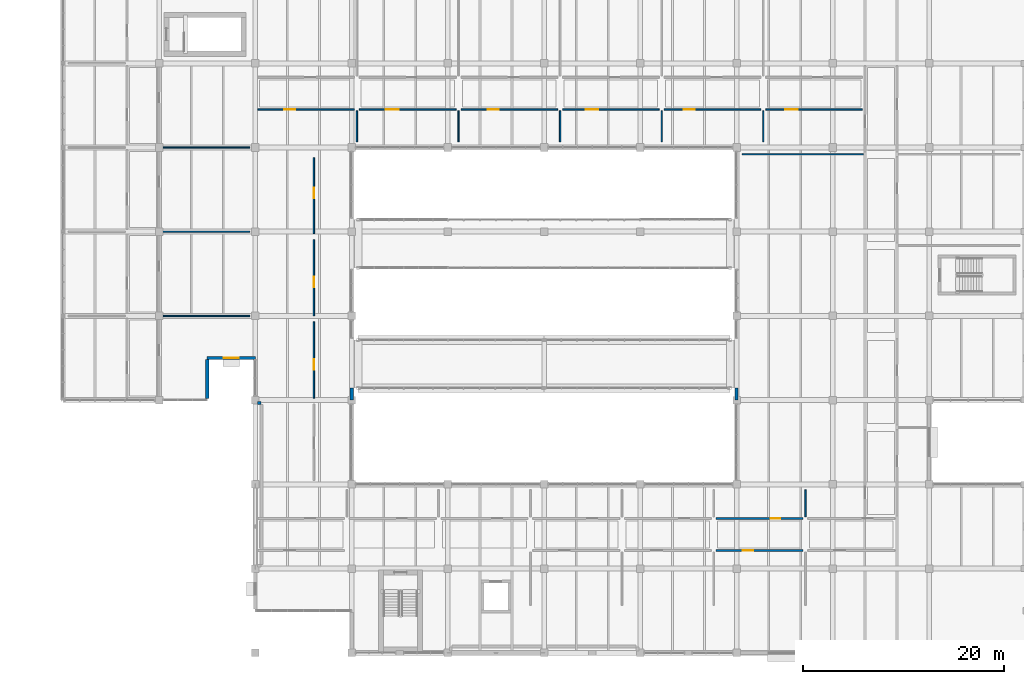
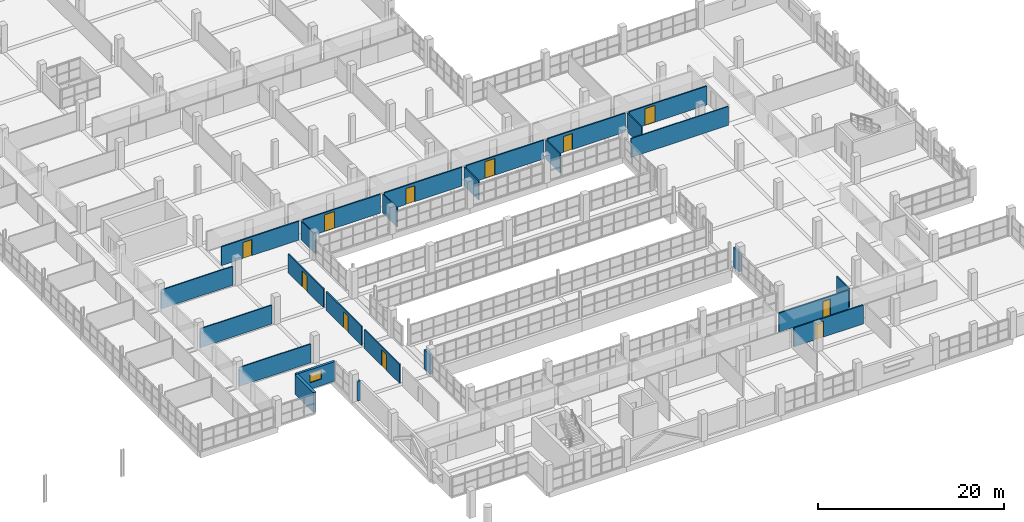
# One storey, part 127 of 147: 26 walls, 11 doors, 1 window, 12 openings.
"""IFC4 building model written with IfcOpenShell, lengths in metres."""

from ifc_helpers import new_model, si_unit, direction, frame, frame_2d, origin, place, context, subcontext, project, spatial, rectangle, extrude, material, layer, layer_set, type_object, element, fill, save


model = new_model("IFC4")

# Units and contexts
model_context = context("Model", 3, precision=1e-05, world=origin(), true_north=direction((0.0, 1.0)))
body_context = subcontext(model_context, "Body", "Model", "MODEL_VIEW")
ifc_project = project(units=[si_unit("LENGTHUNIT", "METRE"), si_unit("AREAUNIT", "SQUARE_METRE"), si_unit("VOLUMEUNIT", "CUBIC_METRE"), si_unit("PLANEANGLEUNIT", "RADIAN"), si_unit("MASSUNIT", "GRAM", prefix="KILO")], contexts=[model_context])

# Site, building, storey
site_placement = place(None, origin())
site = spatial("IfcSite", under=ifc_project, at=site_placement, CompositionType="ELEMENT")
building_placement = place(site_placement, origin())
building = spatial("IfcBuilding", under=site, at=building_placement, Name="Oolite Switchyard Hospital", CompositionType="ELEMENT")
storey_placement = place(building_placement, frame((0.0, 0.0, 9.89990234375)))
storey = spatial("IfcBuildingStorey", under=building, at=storey_placement, Name="L02", CompositionType="ELEMENT", Elevation=9.89990234375)

# Wall
ifc_material_1 = material(Name="Precast oolitic limestone architectural concrete C40/50", Category="masonry")
ifc_layer_1 = layer(ifc_material_1, 0.260009765625)
ifc_layer_set_1 = layer_set([ifc_layer_1], Name="WAL-EXT-260")
wall_type_1 = type_object("IfcWallType", Name="WAL-EXT-260", PredefinedType="SOLIDWALL", material=ifc_layer_set_1)
wall_1_placement = place(storey_placement, frame((134.60009765625, 33.320068359375, 0.0), z_axis=(0.0, 0.0, 1.0), x_axis=(1.0, 0.0, 0.0)))
element("IfcWall", 1, at=wall_1_placement, inside=storey, type_object=wall_type_1, Name="L02 Brace Alcove Cheek Wall 159", PredefinedType="SOLIDWALL", context=body_context, shape_type="SweptSolid", body=[
    extrude(rectangle(XDim=0.35986328125, YDim=0.260009765625, at=frame_2d((0.179931640625, 0.0))), origin(), (0.0, 0.0, 1.0), 2.570068359375),
])

# Wall, opening, window
ifc_layer_2 = layer(ifc_material_1, 0.280029296875)
ifc_layer_set_2 = layer_set([ifc_layer_2], Name="WAL-EXT-280")
wall_type_2 = type_object("IfcWallType", Name="WAL-EXT-280", PredefinedType="SOLIDWALL", material=ifc_layer_set_2)
wall_2_placement = place(storey_placement, frame((134.39990234375, 37.800048828125, 0.0), z_axis=(0.0, 0.0, 1.0), x_axis=(-1.0, 0.0, 0.0)))
wall_2 = element("IfcWall", 2, at=wall_2_placement, inside=storey, type_object=wall_type_2, Name="L02 Exterior Spandrel Wall 132", PredefinedType="SOLIDWALL", context=body_context, shape_type="SweptSolid", body=[
    extrude(rectangle(XDim=4.7998046875, YDim=0.280029296875, at=frame_2d((2.39990234375, 0.0))), origin(), (0.0, 0.0, 1.0), 2.570068359375),
])
opening_1_placement = place(wall_2_placement, frame((1.675048828125, 0.0, 0.85009765625)))
opening_1 = element("IfcOpeningElement", 3, at=opening_1_placement, cuts=wall_2, Name="Opening WN-0049", PredefinedType="OPENING", context=body_context, shape_type="SweptSolid", body=[
    extrude(rectangle(XDim=1.449951171875, YDim=1.199951171875, at=frame_2d((0.72509765625, 0.60009765625))), frame((0.0, 0.14990234375, 0.0), z_axis=(0.0, -1.0, 0.0), x_axis=(1.0, 0.0, 0.0)), (0.0, 0.0, 1.0), 0.300048828125),
])
ifc_material_2 = material(Name="Thermally broken aluminum frame with laminated impact glazing", Category="aluminium")
window_type = type_object("IfcWindowType", Name="WIN-IMP-145X120", PartitioningType="SINGLE_PANEL", PredefinedType="WINDOW", material=ifc_material_2)
window_placement = place(opening_1_placement, origin())
window = element("IfcWindow", 4, at=window_placement, inside=storey, type_object=window_type, Name="L02 Hurricane Impact Window WN-0049", OverallHeight=1.199951171875, OverallWidth=1.449951171875, PartitioningType="SINGLE_PANEL", PredefinedType="WINDOW", context=body_context, shape_type="SweptSolid", body=[
    extrude(rectangle(XDim=1.449951171875, YDim=1.199951171875, at=frame_2d((0.72509765625, 0.60009765625))), frame((0.0, 0.030029296875, 0.0), z_axis=(0.0, -1.0, 0.0), x_axis=(1.0, 0.0, 0.0)), (0.0, 0.0, 1.0), 0.06005859375),
])
fill(opening_1, window)

# Walls
wall_3_placement = place(storey_placement, frame((182.39990234375, 33.60009765625, 0.0), z_axis=(0.0, 0.0, 1.0), x_axis=(0.0, 1.0, 0.0)))
element("IfcWall", 5, at=wall_3_placement, inside=storey, type_object=wall_type_2, Name="L02 Exterior Spandrel Wall 167", PredefinedType="SOLIDWALL", context=body_context, shape_type="SweptSolid", body=[
    extrude(rectangle(XDim=1.199951171875, YDim=0.280029296875, at=frame_2d((0.60009765625, 0.0))), origin(), (0.0, 0.0, 1.0), 2.570068359375),
])
ifc_layer_3 = layer(ifc_material_1, 0.340087890625)
ifc_layer_set_3 = layer_set([ifc_layer_3], Name="WAL-EXT-340")
wall_type_3 = type_object("IfcWallType", Name="WAL-EXT-340", PredefinedType="SOLIDWALL", material=ifc_layer_set_3)
wall_4_placement = place(storey_placement, frame((129.60009765625, 37.639892578125, 0.0), z_axis=(0.0, 0.0, 1.0), x_axis=(0.0, -1.0, 0.0)))
element("IfcWall", 6, at=wall_4_placement, inside=storey, type_object=wall_type_3, Name="L02 Exterior Spandrel Wall 156", PredefinedType="SOLIDWALL", context=body_context, shape_type="SweptSolid", body=[
    extrude(rectangle(XDim=3.8798828125, YDim=0.340087890625, at=frame_2d((1.93994140625, 0.0))), origin(), (0.0, 0.0, 1.0), 2.570068359375),
])
ifc_layer_4 = layer(ifc_material_1, 0.360107421875)
ifc_layer_set_4 = layer_set([ifc_layer_4], Name="WAL-EXT-360")
wall_type_4 = type_object("IfcWallType", Name="WAL-EXT-360", PredefinedType="SOLIDWALL", material=ifc_layer_set_4)
wall_5_placement = place(storey_placement, frame((144.0, 34.800048828125, 0.0), z_axis=(0.0, 0.0, 1.0), x_axis=(0.0, -1.0, 0.0)))
element("IfcWall", 7, at=wall_5_placement, inside=storey, type_object=wall_type_4, Name="L02 Exterior Spandrel Wall 164", PredefinedType="SOLIDWALL", context=body_context, shape_type="SweptSolid", body=[
    extrude(rectangle(XDim=1.199951171875, YDim=0.360107421875, at=frame_2d((0.60009765625, 0.0))), origin(), (0.0, 0.0, 1.0), 2.570068359375),
])
ifc_material_3 = material(Name="Moisture-resistant gypsum board on steel studs", Category="steel")
ifc_layer_5 = layer(ifc_material_3, 0.135009765625)
ifc_layer_set_5 = layer_set([ifc_layer_5], Name="WAL-PART-135")
wall_type_5 = type_object("IfcWallType", Name="WAL-PART-135", PredefinedType="PARTITIONING", material=ifc_layer_set_5)
for number, where, z_axis, x_axis, name in (
    (8, (124.949951171875, 42.0, 0.0), (0.0, 0.0, 1.0), (1.0, 0.0, 0.0), "L02 Interior Partition 469"),
    (9, (124.949951171875, 50.39990234375, 0.0), (0.0, 0.0, 1.0), (1.0, 0.0, 0.0), "L02 Interior Partition 473"),
    (10, (124.949951171875, 58.800048828125, 0.0), (0.0, 0.0, 1.0), (1.0, 0.0, 0.0), "L02 Interior Partition 477"),
):
    element("IfcWall", number, at=place(storey_placement, frame(where, z_axis=z_axis, x_axis=x_axis)), inside=storey, type_object=wall_type_5, Name=name, PredefinedType="PARTITIONING", context=body_context, shape_type="SweptSolid", body=[
        extrude(rectangle(XDim=8.900146484375, YDim=0.135009765625, at=frame_2d((4.4501953125, 0.0))), origin(), (0.0, 0.0, 1.0), 2.47998046875),
    ])
wall_6_placement = place(storey_placement, frame((189.258056640625, 21.949951171875, 0.0), z_axis=(0.0, 0.0, 1.0), x_axis=(0.0, 1.0, 0.0)))
element("IfcWall", 11, at=wall_6_placement, inside=storey, type_object=wall_type_5, Name="L02 Interior Partition 571", PredefinedType="PARTITIONING", context=body_context, shape_type="SweptSolid", body=[
    extrude(rectangle(XDim=2.699951171875, YDim=0.135009765625, at=frame_2d((1.35009765625, 0.0))), origin(), (0.0, 0.0, 1.0), 2.47998046875),
])
wall_7_placement = place(storey_placement, frame((182.949951171875, 58.1201171875, 0.0), z_axis=(0.0, 0.0, 1.0), x_axis=(1.0, 0.0, 0.0)))
element("IfcWall", 12, at=wall_7_placement, inside=storey, type_object=wall_type_5, Name="L02 Interior Partition 579", PredefinedType="PARTITIONING", context=body_context, shape_type="SweptSolid", body=[
    extrude(rectangle(XDim=12.10009765625, YDim=0.135009765625, at=frame_2d((6.050048828125, 0.0))), origin(), (0.0, 0.0, 1.0), 2.47998046875),
])
for number, where, z_axis, x_axis, name in (
    (13, (144.532958984375, 59.35009765625, 0.0), (0.0, 0.0, 1.0), (0.0, 1.0, 0.0), "L02 Interior Partition 585"),
    (14, (154.666015625, 59.35009765625, 0.0), (0.0, 0.0, 1.0), (0.0, 1.0, 0.0), "L02 Interior Partition 589"),
    (15, (164.799072265625, 59.35009765625, 0.0), (0.0, 0.0, 1.0), (0.0, 1.0, 0.0), "L02 Interior Partition 593"),
    (16, (174.931884765625, 59.35009765625, 0.0), (0.0, 0.0, 1.0), (0.0, 1.0, 0.0), "L02 Interior Partition 597"),
    (17, (185.06494140625, 59.35009765625, 0.0), (0.0, 0.0, 1.0), (0.0, 1.0, 0.0), "L02 Interior Partition 601"),
):
    element("IfcWall", number, at=place(storey_placement, frame(where, z_axis=z_axis, x_axis=x_axis)), inside=storey, type_object=wall_type_5, Name=name, PredefinedType="PARTITIONING", context=body_context, shape_type="SweptSolid", body=[
        extrude(rectangle(XDim=3.099853515625, YDim=0.135009765625, at=frame_2d((1.5498046875, 0.0))), origin(), (0.0, 0.0, 1.0), 2.47998046875),
    ])

# Wall, opening, door
ifc_layer_6 = layer(ifc_material_3, 0.14990234375)
ifc_layer_set_6 = layer_set([ifc_layer_6], Name="WAL-PART-150")
wall_type_6 = type_object("IfcWallType", Name="WAL-PART-150", PredefinedType="PARTITIONING", material=ifc_layer_set_6)
wall_8_placement = place(storey_placement, frame((140.25, 33.800048828125, 0.0), z_axis=(0.0, 0.0, 1.0), x_axis=(0.0, 1.0, 0.0)))
wall_8 = element("IfcWall", 18, at=wall_8_placement, inside=storey, type_object=wall_type_6, Name="L02 Interior Partition 978", PredefinedType="PARTITIONING", context=body_context, shape_type="SweptSolid", body=[
    extrude(rectangle(XDim=7.599853515625, YDim=0.14990234375, at=frame_2d((3.7998046875, 0.0))), origin(), (0.0, 0.0, 1.0), 2.47998046875),
])
opening_2_placement = place(wall_8_placement, frame((2.85009765625, 0.0, 0.0)))
opening_2 = element("IfcOpeningElement", 19, at=opening_2_placement, cuts=wall_8, Name="Opening D-0546", PredefinedType="OPENING", context=body_context, shape_type="SweptSolid", body=[
    extrude(rectangle(XDim=1.050048828125, YDim=2.10009765625, at=frame_2d((0.52490234375, 1.050048828125))), frame((0.0, 0.0849609375, 0.0), z_axis=(0.0, -1.0, 0.0), x_axis=(1.0, 0.0, 0.0)), (0.0, 0.0, 1.0), 0.169921875),
])
ifc_material_4 = material(Name="Solid-core antimicrobial hardwood leaf in steel frame", Category="steel")
door_type_1 = type_object("IfcDoorType", Name="DR-EXAM-105X210", OperationType="NOTDEFINED", PredefinedType="DOOR", material=ifc_material_4)
door_1_placement = place(opening_2_placement, origin())
door_1 = element("IfcDoor", 20, at=door_1_placement, inside=storey, type_object=door_type_1, Name="L02 Interior Door D-0546", OperationType="SINGLE_SWING_RIGHT", OverallHeight=2.10009765625, OverallWidth=1.050048828125, PredefinedType="DOOR", context=body_context, shape_type="SweptSolid", body=[
    extrude(rectangle(XDim=1.050048828125, YDim=2.10009765625, at=frame_2d((0.52490234375, 1.050048828125))), frame((0.0, 0.02490234375, 0.0), z_axis=(0.0, -1.0, 0.0), x_axis=(1.0, 0.0, 0.0)), (0.0, 0.0, 1.0), 0.050048828125),
])
fill(opening_2, door_1)

wall_9_placement = place(storey_placement, frame((140.25, 42.0, 0.0), z_axis=(0.0, 0.0, 1.0), x_axis=(0.0, 1.0, 0.0)))
wall_9 = element("IfcWall", 21, at=wall_9_placement, inside=storey, type_object=wall_type_6, Name="L02 Interior Partition 979", PredefinedType="PARTITIONING", context=body_context, shape_type="SweptSolid", body=[
    extrude(rectangle(XDim=7.60009765625, YDim=0.14990234375, at=frame_2d((3.800048828125, 0.0))), origin(), (0.0, 0.0, 1.0), 2.47998046875),
])
opening_3_placement = place(wall_9_placement, frame((2.85009765625, 0.0, 0.0)))
opening_3 = element("IfcOpeningElement", 22, at=opening_3_placement, cuts=wall_9, Name="Opening D-0547", PredefinedType="OPENING", context=body_context, shape_type="SweptSolid", body=[
    extrude(rectangle(XDim=1.050048828125, YDim=2.10009765625, at=frame_2d((0.52490234375, 1.050048828125))), frame((0.0, 0.0849609375, 0.0), z_axis=(0.0, -1.0, 0.0), x_axis=(1.0, 0.0, 0.0)), (0.0, 0.0, 1.0), 0.169921875),
])
door_2_placement = place(opening_3_placement, origin())
door_2 = element("IfcDoor", 23, at=door_2_placement, inside=storey, type_object=door_type_1, Name="L02 Interior Door D-0547", OperationType="SINGLE_SWING_LEFT", OverallHeight=2.10009765625, OverallWidth=1.050048828125, PredefinedType="DOOR", context=body_context, shape_type="SweptSolid", body=[
    extrude(rectangle(XDim=1.050048828125, YDim=2.10009765625, at=frame_2d((0.52490234375, 1.050048828125))), frame((0.0, 0.02490234375, 0.0), z_axis=(0.0, -1.0, 0.0), x_axis=(1.0, 0.0, 0.0)), (0.0, 0.0, 1.0), 0.050048828125),
])
fill(opening_3, door_2)

wall_10_placement = place(storey_placement, frame((140.25, 50.199951171875, 0.0), z_axis=(0.0, 0.0, 1.0), x_axis=(0.0, 1.0, 0.0)))
wall_10 = element("IfcWall", 24, at=wall_10_placement, inside=storey, type_object=wall_type_6, Name="L02 Interior Partition 980", PredefinedType="PARTITIONING", context=body_context, shape_type="SweptSolid", body=[
    extrude(rectangle(XDim=7.60009765625, YDim=0.14990234375, at=frame_2d((3.800048828125, 0.0))), origin(), (0.0, 0.0, 1.0), 2.47998046875),
])
opening_4_placement = place(wall_10_placement, frame((3.550048828125, 0.0, 0.0)))
opening_4 = element("IfcOpeningElement", 25, at=opening_4_placement, cuts=wall_10, Name="Opening D-0548", PredefinedType="OPENING", context=body_context, shape_type="SweptSolid", body=[
    extrude(rectangle(XDim=1.050048828125, YDim=2.10009765625, at=frame_2d((0.52490234375, 1.050048828125))), frame((0.0, 0.0849609375, 0.0), z_axis=(0.0, -1.0, 0.0), x_axis=(1.0, 0.0, 0.0)), (0.0, 0.0, 1.0), 0.169921875),
])
door_3_placement = place(opening_4_placement, origin())
door_3 = element("IfcDoor", 26, at=door_3_placement, inside=storey, type_object=door_type_1, Name="L02 Interior Door D-0548", OperationType="SINGLE_SWING_RIGHT", OverallHeight=2.10009765625, OverallWidth=1.050048828125, PredefinedType="DOOR", context=body_context, shape_type="SweptSolid", body=[
    extrude(rectangle(XDim=1.050048828125, YDim=2.10009765625, at=frame_2d((0.52490234375, 1.050048828125))), frame((0.0, 0.02490234375, 0.0), z_axis=(0.0, -1.0, 0.0), x_axis=(1.0, 0.0, 0.0)), (0.0, 0.0, 1.0), 0.050048828125),
])
fill(opening_4, door_3)

ifc_layer_7 = layer(ifc_material_3, 0.1650390625)
ifc_layer_set_7 = layer_set([ifc_layer_7], Name="WAL-PART-165")
wall_type_7 = type_object("IfcWallType", Name="WAL-PART-165", PredefinedType="PARTITIONING", material=ifc_layer_set_7)
wall_11_placement = place(storey_placement, frame((180.364990234375, 18.60009765625, 0.0), z_axis=(0.0, 0.0, 1.0), x_axis=(1.0, 0.0, 0.0)))
wall_11 = element("IfcWall", 27, at=wall_11_placement, inside=storey, type_object=wall_type_7, Name="L02 Interior Partition 564", PredefinedType="PARTITIONING", context=body_context, shape_type="SweptSolid", body=[
    extrude(rectangle(XDim=8.64306640625, YDim=0.1650390625, at=frame_2d((4.321533203125, 0.0))), origin(), (0.0, 0.0, 1.0), 2.47998046875),
])
opening_5_placement = place(wall_11_placement, frame((2.64990234375, 0.0, 0.0)))
opening_5 = element("IfcOpeningElement", 28, at=opening_5_placement, cuts=wall_11, Name="Opening D-0317", PredefinedType="OPENING", context=body_context, shape_type="SweptSolid", body=[
    extrude(rectangle(XDim=1.050048828125, YDim=2.10009765625, at=frame_2d((0.52490234375, 1.050048828125))), frame((0.0, 0.092529296875, 0.0), z_axis=(0.0, -1.0, 0.0), x_axis=(1.0, 0.0, 0.0)), (0.0, 0.0, 1.0), 0.18505859375),
])
door_4_placement = place(opening_5_placement, origin())
door_4 = element("IfcDoor", 29, at=door_4_placement, inside=storey, type_object=door_type_1, Name="L02 Interior Door D-0317", OperationType="SINGLE_SWING_RIGHT", OverallHeight=2.10009765625, OverallWidth=1.050048828125, PredefinedType="DOOR", context=body_context, shape_type="SweptSolid", body=[
    extrude(rectangle(XDim=1.050048828125, YDim=2.10009765625, at=frame_2d((0.52490234375, 1.050048828125))), frame((0.0, 0.02490234375, 0.0), z_axis=(0.0, -1.0, 0.0), x_axis=(1.0, 0.0, 0.0)), (0.0, 0.0, 1.0), 0.050048828125),
])
fill(opening_5, door_4)

wall_12_placement = place(storey_placement, frame((180.364990234375, 21.800048828125, 0.0), z_axis=(0.0, 0.0, 1.0), x_axis=(1.0, 0.0, 0.0)))
wall_12 = element("IfcWall", 30, at=wall_12_placement, inside=storey, type_object=wall_type_7, Name="L02 Interior Partition 566", PredefinedType="PARTITIONING", context=body_context, shape_type="SweptSolid", body=[
    extrude(rectangle(XDim=8.64306640625, YDim=0.1650390625, at=frame_2d((4.321533203125, 0.0))), origin(), (0.0, 0.0, 1.0), 2.47998046875),
])
opening_6_placement = place(wall_12_placement, frame((5.449951171875, 0.0, 0.0)))
opening_6 = element("IfcOpeningElement", 31, at=opening_6_placement, cuts=wall_12, Name="Opening D-0318", PredefinedType="OPENING", context=body_context, shape_type="SweptSolid", body=[
    extrude(rectangle(XDim=0.949951171875, YDim=2.10009765625, at=frame_2d((0.47509765625, 1.050048828125))), frame((0.0, 0.092529296875, 0.0), z_axis=(0.0, -1.0, 0.0), x_axis=(1.0, 0.0, 0.0)), (0.0, 0.0, 1.0), 0.18505859375),
])
door_type_2 = type_object("IfcDoorType", Name="DR-BATH-095X210", OperationType="NOTDEFINED", PredefinedType="DOOR", material=ifc_material_4)
door_5_placement = place(opening_6_placement, origin())
door_5 = element("IfcDoor", 32, at=door_5_placement, inside=storey, type_object=door_type_2, Name="L02 Interior Door D-0318", OperationType="SINGLE_SWING_LEFT", OverallHeight=2.10009765625, OverallWidth=0.949951171875, PredefinedType="DOOR", context=body_context, shape_type="SweptSolid", body=[
    extrude(rectangle(XDim=0.949951171875, YDim=2.10009765625, at=frame_2d((0.47509765625, 1.050048828125))), frame((0.0, 0.02490234375, 0.0), z_axis=(0.0, -1.0, 0.0), x_axis=(1.0, 0.0, 0.0)), (0.0, 0.0, 1.0), 0.050048828125),
])
fill(opening_6, door_5)

wall_13_placement = place(storey_placement, frame((134.64990234375, 62.60009765625, 0.0), z_axis=(0.0, 0.0, 1.0), x_axis=(1.0, 0.0, 0.0)))
wall_13 = element("IfcWall", 33, at=wall_13_placement, inside=storey, type_object=wall_type_7, Name="L02 Interior Partition 582", PredefinedType="PARTITIONING", context=body_context, shape_type="SweptSolid", body=[
    extrude(rectangle(XDim=9.633056640625, YDim=0.1650390625, at=frame_2d((4.81640625, 0.0))), origin(), (0.0, 0.0, 1.0), 2.47998046875),
])
opening_7_placement = place(wall_13_placement, frame((2.64990234375, 0.0, 0.0)))
opening_7 = element("IfcOpeningElement", 34, at=opening_7_placement, cuts=wall_13, Name="Opening D-0327", PredefinedType="OPENING", context=body_context, shape_type="SweptSolid", body=[
    extrude(rectangle(XDim=1.10009765625, YDim=2.10009765625, at=frame_2d((0.550048828125, 1.050048828125))), frame((0.0, 0.092529296875, 0.0), z_axis=(0.0, -1.0, 0.0), x_axis=(1.0, 0.0, 0.0)), (0.0, 0.0, 1.0), 0.18505859375),
])
door_type_3 = type_object("IfcDoorType", Name="DR-CLIN-110X210", OperationType="NOTDEFINED", PredefinedType="DOOR", material=ifc_material_4)
door_6_placement = place(opening_7_placement, origin())
door_6 = element("IfcDoor", 35, at=door_6_placement, inside=storey, type_object=door_type_3, Name="L02 Interior Door D-0327", OperationType="SINGLE_SWING_LEFT", OverallHeight=2.10009765625, OverallWidth=1.10009765625, PredefinedType="DOOR", context=body_context, shape_type="SweptSolid", body=[
    extrude(rectangle(XDim=1.10009765625, YDim=2.10009765625, at=frame_2d((0.550048828125, 1.050048828125))), frame((0.0, 0.02490234375, 0.0), z_axis=(0.0, -1.0, 0.0), x_axis=(1.0, 0.0, 0.0)), (0.0, 0.0, 1.0), 0.050048828125),
])
fill(opening_7, door_6)

wall_14_placement = place(storey_placement, frame((144.782958984375, 62.60009765625, 0.0), z_axis=(0.0, 0.0, 1.0), x_axis=(1.0, 0.0, 0.0)))
wall_14 = element("IfcWall", 36, at=wall_14_placement, inside=storey, type_object=wall_type_7, Name="L02 Interior Partition 584", PredefinedType="PARTITIONING", context=body_context, shape_type="SweptSolid", body=[
    extrude(rectangle(XDim=9.633056640625, YDim=0.1650390625, at=frame_2d((4.81640625, 0.0))), origin(), (0.0, 0.0, 1.0), 2.47998046875),
])
opening_8_placement = place(wall_14_placement, frame((2.64990234375, 0.0, 0.0)))
opening_8 = element("IfcOpeningElement", 37, at=opening_8_placement, cuts=wall_14, Name="Opening D-0329", PredefinedType="OPENING", context=body_context, shape_type="SweptSolid", body=[
    extrude(rectangle(XDim=1.25, YDim=2.199951171875, at=frame_2d((0.625, 1.10009765625))), frame((0.0, 0.092529296875, 0.0), z_axis=(0.0, -1.0, 0.0), x_axis=(1.0, 0.0, 0.0)), (0.0, 0.0, 1.0), 0.18505859375),
])
door_type_4 = type_object("IfcDoorType", Name="DR-WARD-125X220", OperationType="NOTDEFINED", PredefinedType="DOOR", material=ifc_material_4)
door_7_placement = place(opening_8_placement, origin())
door_7 = element("IfcDoor", 38, at=door_7_placement, inside=storey, type_object=door_type_4, Name="L02 Interior Door D-0329", OperationType="SINGLE_SWING_RIGHT", OverallHeight=2.199951171875, OverallWidth=1.25, PredefinedType="DOOR", context=body_context, shape_type="SweptSolid", body=[
    extrude(rectangle(XDim=1.25, YDim=2.199951171875, at=frame_2d((0.625, 1.10009765625))), frame((0.0, 0.02490234375, 0.0), z_axis=(0.0, -1.0, 0.0), x_axis=(1.0, 0.0, 0.0)), (0.0, 0.0, 1.0), 0.050048828125),
])
fill(opening_8, door_7)

wall_15_placement = place(storey_placement, frame((154.916015625, 62.60009765625, 0.0), z_axis=(0.0, 0.0, 1.0), x_axis=(1.0, 0.0, 0.0)))
wall_15 = element("IfcWall", 39, at=wall_15_placement, inside=storey, type_object=wall_type_7, Name="L02 Interior Partition 588", PredefinedType="PARTITIONING", context=body_context, shape_type="SweptSolid", body=[
    extrude(rectangle(XDim=9.633056640625, YDim=0.1650390625, at=frame_2d((4.81640625, 0.0))), origin(), (0.0, 0.0, 1.0), 2.47998046875),
])
opening_9_placement = place(wall_15_placement, frame((2.64990234375, 0.0, 0.0)))
opening_9 = element("IfcOpeningElement", 40, at=opening_9_placement, cuts=wall_15, Name="Opening D-0331", PredefinedType="OPENING", context=body_context, shape_type="SweptSolid", body=[
    extrude(rectangle(XDim=1.10009765625, YDim=2.10009765625, at=frame_2d((0.550048828125, 1.050048828125))), frame((0.0, 0.092529296875, 0.0), z_axis=(0.0, -1.0, 0.0), x_axis=(1.0, 0.0, 0.0)), (0.0, 0.0, 1.0), 0.18505859375),
])
door_8_placement = place(opening_9_placement, origin())
door_8 = element("IfcDoor", 41, at=door_8_placement, inside=storey, type_object=door_type_3, Name="L02 Interior Door D-0331", OperationType="SINGLE_SWING_LEFT", OverallHeight=2.10009765625, OverallWidth=1.10009765625, PredefinedType="DOOR", context=body_context, shape_type="SweptSolid", body=[
    extrude(rectangle(XDim=1.10009765625, YDim=2.10009765625, at=frame_2d((0.550048828125, 1.050048828125))), frame((0.0, 0.02490234375, 0.0), z_axis=(0.0, -1.0, 0.0), x_axis=(1.0, 0.0, 0.0)), (0.0, 0.0, 1.0), 0.050048828125),
])
fill(opening_9, door_8)

wall_16_placement = place(storey_placement, frame((165.049072265625, 62.60009765625, 0.0), z_axis=(0.0, 0.0, 1.0), x_axis=(1.0, 0.0, 0.0)))
wall_16 = element("IfcWall", 42, at=wall_16_placement, inside=storey, type_object=wall_type_7, Name="L02 Interior Partition 592", PredefinedType="PARTITIONING", context=body_context, shape_type="SweptSolid", body=[
    extrude(rectangle(XDim=9.6328125, YDim=0.1650390625, at=frame_2d((4.81640625, 0.0))), origin(), (0.0, 0.0, 1.0), 2.47998046875),
])
opening_10_placement = place(wall_16_placement, frame((2.300048828125, 0.0, 0.0)))
opening_10 = element("IfcOpeningElement", 43, at=opening_10_placement, cuts=wall_16, Name="Opening D-0333", PredefinedType="OPENING", context=body_context, shape_type="SweptSolid", body=[
    extrude(rectangle(XDim=1.25, YDim=2.199951171875, at=frame_2d((0.625, 1.10009765625))), frame((0.0, 0.092529296875, 0.0), z_axis=(0.0, -1.0, 0.0), x_axis=(1.0, 0.0, 0.0)), (0.0, 0.0, 1.0), 0.18505859375),
])
door_9_placement = place(opening_10_placement, origin())
door_9 = element("IfcDoor", 44, at=door_9_placement, inside=storey, type_object=door_type_4, Name="L02 Interior Door D-0333", OperationType="SINGLE_SWING_RIGHT", OverallHeight=2.199951171875, OverallWidth=1.25, PredefinedType="DOOR", context=body_context, shape_type="SweptSolid", body=[
    extrude(rectangle(XDim=1.25, YDim=2.199951171875, at=frame_2d((0.625, 1.10009765625))), frame((0.0, 0.02490234375, 0.0), z_axis=(0.0, -1.0, 0.0), x_axis=(1.0, 0.0, 0.0)), (0.0, 0.0, 1.0), 0.050048828125),
])
fill(opening_10, door_9)

wall_17_placement = place(storey_placement, frame((175.181884765625, 62.60009765625, 0.0), z_axis=(0.0, 0.0, 1.0), x_axis=(1.0, 0.0, 0.0)))
wall_17 = element("IfcWall", 45, at=wall_17_placement, inside=storey, type_object=wall_type_7, Name="L02 Interior Partition 596", PredefinedType="PARTITIONING", context=body_context, shape_type="SweptSolid", body=[
    extrude(rectangle(XDim=9.633056640625, YDim=0.1650390625, at=frame_2d((4.81640625, 0.0))), origin(), (0.0, 0.0, 1.0), 2.47998046875),
])
opening_11_placement = place(wall_17_placement, frame((1.949951171875, 0.0, 0.0)))
opening_11 = element("IfcOpeningElement", 46, at=opening_11_placement, cuts=wall_17, Name="Opening D-0335", PredefinedType="OPENING", context=body_context, shape_type="SweptSolid", body=[
    extrude(rectangle(XDim=1.10009765625, YDim=2.10009765625, at=frame_2d((0.550048828125, 1.050048828125))), frame((0.0, 0.092529296875, 0.0), z_axis=(0.0, -1.0, 0.0), x_axis=(1.0, 0.0, 0.0)), (0.0, 0.0, 1.0), 0.18505859375),
])
door_10_placement = place(opening_11_placement, origin())
door_10 = element("IfcDoor", 47, at=door_10_placement, inside=storey, type_object=door_type_3, Name="L02 Interior Door D-0335", OperationType="SINGLE_SWING_LEFT", OverallHeight=2.10009765625, OverallWidth=1.10009765625, PredefinedType="DOOR", context=body_context, shape_type="SweptSolid", body=[
    extrude(rectangle(XDim=1.10009765625, YDim=2.10009765625, at=frame_2d((0.550048828125, 1.050048828125))), frame((0.0, 0.02490234375, 0.0), z_axis=(0.0, -1.0, 0.0), x_axis=(1.0, 0.0, 0.0)), (0.0, 0.0, 1.0), 0.050048828125),
])
fill(opening_11, door_10)

wall_18_placement = place(storey_placement, frame((185.31494140625, 62.60009765625, 0.0), z_axis=(0.0, 0.0, 1.0), x_axis=(1.0, 0.0, 0.0)))
wall_18 = element("IfcWall", 48, at=wall_18_placement, inside=storey, type_object=wall_type_7, Name="L02 Interior Partition 600", PredefinedType="PARTITIONING", context=body_context, shape_type="SweptSolid", body=[
    extrude(rectangle(XDim=9.633056640625, YDim=0.1650390625, at=frame_2d((4.81640625, 0.0))), origin(), (0.0, 0.0, 1.0), 2.47998046875),
])
opening_12_placement = place(wall_18_placement, frame((1.949951171875, 0.0, 0.0)))
opening_12 = element("IfcOpeningElement", 49, at=opening_12_placement, cuts=wall_18, Name="Opening D-0337", PredefinedType="OPENING", context=body_context, shape_type="SweptSolid", body=[
    extrude(rectangle(XDim=1.25, YDim=2.199951171875, at=frame_2d((0.625, 1.10009765625))), frame((0.0, 0.092529296875, 0.0), z_axis=(0.0, -1.0, 0.0), x_axis=(1.0, 0.0, 0.0)), (0.0, 0.0, 1.0), 0.18505859375),
])
door_11_placement = place(opening_12_placement, origin())
door_11 = element("IfcDoor", 50, at=door_11_placement, inside=storey, type_object=door_type_4, Name="L02 Interior Door D-0337", OperationType="SINGLE_SWING_RIGHT", OverallHeight=2.199951171875, OverallWidth=1.25, PredefinedType="DOOR", context=body_context, shape_type="SweptSolid", body=[
    extrude(rectangle(XDim=1.25, YDim=2.199951171875, at=frame_2d((0.625, 1.10009765625))), frame((0.0, 0.02490234375, 0.0), z_axis=(0.0, -1.0, 0.0), x_axis=(1.0, 0.0, 0.0)), (0.0, 0.0, 1.0), 0.050048828125),
])
fill(opening_12, door_11)

save(model, "model.ifc")
